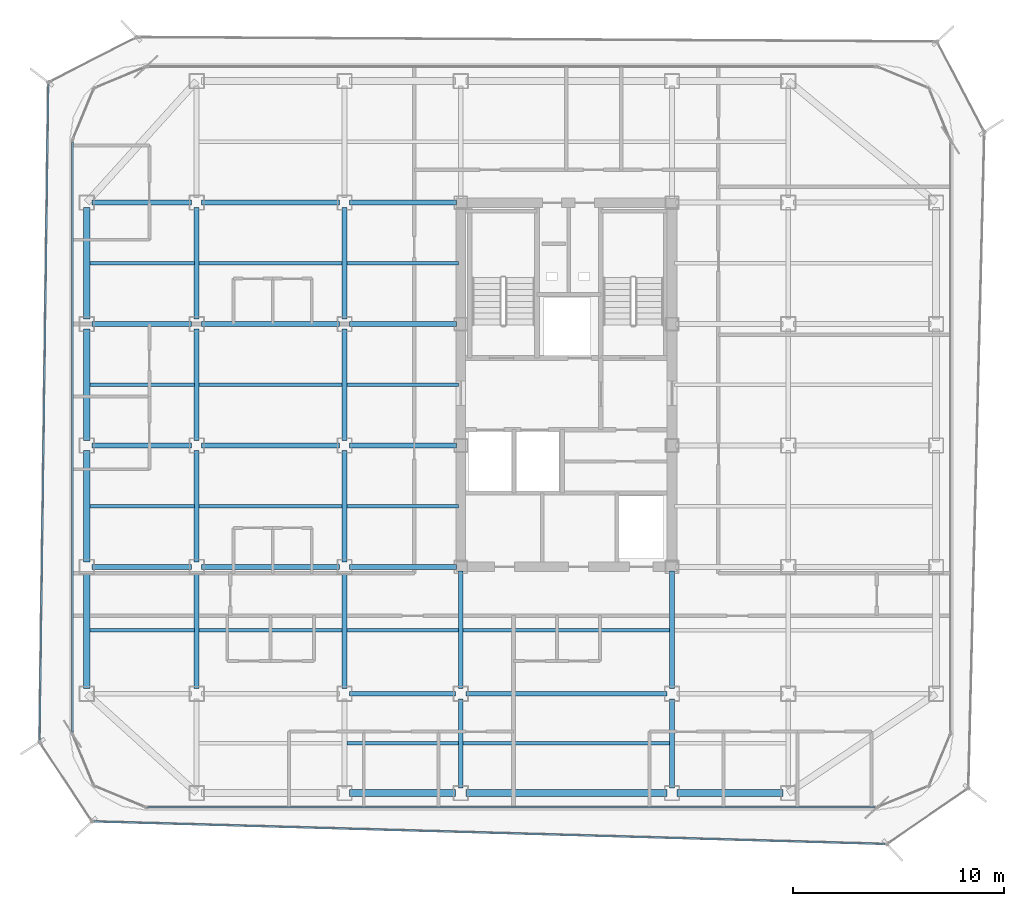
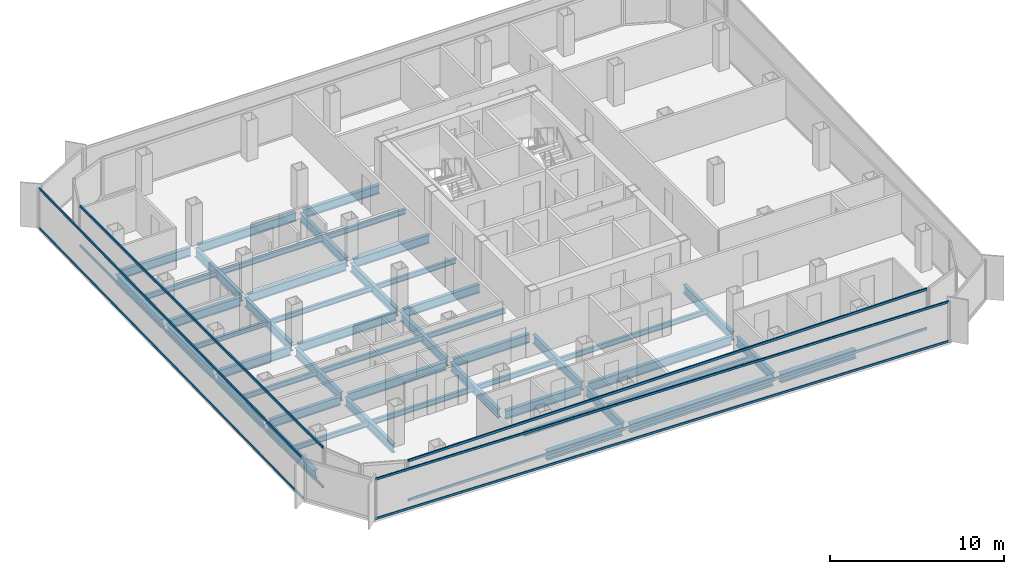
# One storey, part 3 of 15: 48 beams, 8 members, 4 elements without a shape of their own.
"""IFC4 building model written with IfcOpenShell, lengths in metres."""

from ifc_helpers import new_model, si_unit, direction, frame, origin, origin_2d, place, context, subcontext, project, spatial, hollow_rectangle, i_section, extrude, source, transform, mapped, material, layer, layer_set, material_profile, profile_set, type_object, element, aggregate, save


model = new_model("IFC4")

# Units and contexts
model_context = context("Model", 3, precision=1e-05, world=origin(), true_north=direction((0.0, 1.0)))
body_context = subcontext(model_context, "Body", "Model", "MODEL_VIEW")
ifc_project = project(units=[si_unit("LENGTHUNIT", "METRE"), si_unit("AREAUNIT", "SQUARE_METRE"), si_unit("VOLUMEUNIT", "CUBIC_METRE"), si_unit("PLANEANGLEUNIT", "RADIAN"), si_unit("MASSUNIT", "GRAM", prefix="KILO")], contexts=[model_context])

# Site, building, storey
site_placement = place(None, origin())
site = spatial("IfcSite", under=ifc_project, at=site_placement, CompositionType="ELEMENT")
building_placement = place(site_placement, origin())
building = spatial("IfcBuilding", under=site, at=building_placement, Name="Kolveth Station Tower", CompositionType="ELEMENT")
storey_placement = place(building_placement, frame((0.0, 0.0, 184.89990234375)))
storey = spatial("IfcBuildingStorey", under=building, at=storey_placement, Name="L52", CompositionType="ELEMENT", Elevation=184.89990234375)

# Beams
ifc_material_1 = material(Name="Steel S355", Category="steel")
ifc_material_profile_1 = material_profile(ifc_material_1, i_section(OverallWidth=0.323974609375, OverallDepth=0.611083984375, WebThickness=0.0126953125, FlangeThickness=0.01904296875, at=origin_2d()), Name="W610x155")
ifc_profile_set_1 = profile_set([ifc_material_profile_1], Name="Steel S355")
beam_type_1 = type_object("IfcBeamType", Name="Beam_SP2", PredefinedType="SPANDREL", material=ifc_profile_set_1)
shared_shape_1 = source(origin(), body_context, "Body", "SweptSolid", [
    extrude(i_section(OverallWidth=0.323974609375, OverallDepth=0.611083984375, WebThickness=0.0126953125, FlangeThickness=0.01904296875, at=origin_2d()), origin(), (0.0, 0.0, 1.0), 5.02001953125),
])
for number, where, z_axis, x_axis, name in (
    (1, (13.239990234375, 0.800048828125, -0.555419921875), (1.0, 0.0, 0.0), (0.0, 1.0, 0.0), "L52 Perimeter Spandrel BM-L52-PS-2"),
    (2, (28.739990234375, 0.800048828125, -0.555419921875), (1.0, 0.0, 0.0), (0.0, 1.0, 0.0), "L52 Perimeter Spandrel BM-L52-PS-4"),
):
    element("IfcBeam", number, at=place(storey_placement, frame(where, z_axis=z_axis, x_axis=x_axis)), inside=storey, type_object=beam_type_1, Name=name, PredefinedType="SPANDREL", context=body_context, shape_type="MappedRepresentation", body=[
        mapped(shared_shape_1, transform((0.0, 0.0, 0.0), x_axis=(1.0, 0.0, 0.0), y_axis=(0.0, 1.0, 0.0), z_axis=(0.0, 0.0, 1.0), scale=1.0)),
    ])
shared_shape_2 = source(origin(), body_context, "Body", "SweptSolid", [
    extrude(i_section(OverallWidth=0.323974609375, OverallDepth=0.611083984375, WebThickness=0.0126953125, FlangeThickness=0.01904296875, at=origin_2d()), origin(), (0.0, 0.0, 1.0), 9.52001953125),
])
beam_1_placement = place(storey_placement, frame((18.739990234375, 0.800048828125, -0.555419921875), z_axis=(1.0, 0.0, 0.0), x_axis=(0.0, 1.0, 0.0)))
element("IfcBeam", 3, at=beam_1_placement, inside=storey, type_object=beam_type_1, Name="L52 Perimeter Spandrel BM-L52-PS-3", PredefinedType="SPANDREL", context=body_context, shape_type="MappedRepresentation", body=[
    mapped(shared_shape_2, transform((0.0, 0.0, 0.0), x_axis=(1.0, 0.0, 0.0), y_axis=(0.0, 1.0, 0.0), z_axis=(0.0, 0.0, 1.0), scale=1.0)),
])
shared_shape_3 = source(origin(), body_context, "Body", "SweptSolid", [
    extrude(i_section(OverallWidth=0.323974609375, OverallDepth=0.611083984375, WebThickness=0.0126953125, FlangeThickness=0.01904296875, at=origin_2d()), origin(), (0.0, 0.0, 1.0), 5.52001953125),
])
beam_2_placement = place(storey_placement, frame((0.800048828125, 5.739990234375, -0.555419921875), z_axis=(0.0, 1.0, 0.0), x_axis=(-1.0, 0.0, 0.0)))
element("IfcBeam", 4, at=beam_2_placement, inside=storey, type_object=beam_type_1, Name="L52 Perimeter Spandrel BM-L52-PW-1", PredefinedType="SPANDREL", context=body_context, shape_type="MappedRepresentation", body=[
    mapped(shared_shape_3, transform((0.0, 0.0, 0.0), x_axis=(1.0, 0.0, 0.0), y_axis=(0.0, 1.0, 0.0), z_axis=(0.0, 0.0, 1.0), scale=1.0)),
])
shared_shape_4 = source(origin(), body_context, "Body", "SweptSolid", [
    extrude(i_section(OverallWidth=0.323974609375, OverallDepth=0.611083984375, WebThickness=0.0126953125, FlangeThickness=0.01904296875, at=origin_2d()), origin(), (0.0, 0.0, 1.0), 5.27001953125),
])
for number, where, z_axis, x_axis, name in (
    (5, (0.800048828125, 11.739990234375, -0.555419921875), (0.0, 1.0, 0.0), (-1.0, 0.0, 0.0), "L52 Perimeter Spandrel BM-L52-PW-2"),
    (6, (0.800048828125, 17.489990234375, -0.555419921875), (0.0, 1.0, 0.0), (-1.0, 0.0, 0.0), "L52 Perimeter Spandrel BM-L52-PW-3"),
    (7, (0.800048828125, 23.239990234375, -0.555419921875), (0.0, 1.0, 0.0), (-1.0, 0.0, 0.0), "L52 Perimeter Spandrel BM-L52-PW-4"),
):
    element("IfcBeam", number, at=place(storey_placement, frame(where, z_axis=z_axis, x_axis=x_axis)), inside=storey, type_object=beam_type_1, Name=name, PredefinedType="SPANDREL", context=body_context, shape_type="MappedRepresentation", body=[
        mapped(shared_shape_4, transform((0.0, 0.0, 0.0), x_axis=(1.0, 0.0, 0.0), y_axis=(0.0, 1.0, 0.0), z_axis=(0.0, 0.0, 1.0), scale=1.0)),
    ])
ifc_material_profile_2 = material_profile(ifc_material_1, i_section(OverallWidth=0.22900390625, OverallDepth=0.612060546875, WebThickness=0.011962890625, FlangeThickness=0.01953125, at=origin_2d()), Name="W610x125")
ifc_profile_set_2 = profile_set([ifc_material_profile_2], Name="Steel S355")
beam_type_2 = type_object("IfcBeamType", Name="Beam_B5", PredefinedType="BEAM", material=ifc_profile_set_2)
shared_shape_5 = source(origin(), body_context, "Body", "SweptSolid", [
    extrude(i_section(OverallWidth=0.22900390625, OverallDepth=0.612060546875, WebThickness=0.011962890625, FlangeThickness=0.01953125, at=origin_2d()), origin(), (0.0, 0.0, 1.0), 4.719970703125),
])
for number, where, z_axis, x_axis, name in (
    (8, (1.0400390625, 11.5, -0.555908203125), (1.0, 0.0, 0.0), (0.0, 1.0, 0.0), "L52 Primary Girder BM-L52-GY115-1"),
    (9, (1.0400390625, 17.25, -0.555908203125), (1.0, 0.0, 0.0), (0.0, 1.0, 0.0), "L52 Primary Girder BM-L52-GY172-1"),
    (10, (1.0400390625, 23.0, -0.555908203125), (1.0, 0.0, 0.0), (0.0, 1.0, 0.0), "L52 Primary Girder BM-L52-GY230-1"),
    (11, (1.0400390625, 28.75, -0.555908203125), (1.0, 0.0, 0.0), (0.0, 1.0, 0.0), "L52 Primary Girder BM-L52-GY287-1"),
):
    element("IfcBeam", number, at=place(storey_placement, frame(where, z_axis=z_axis, x_axis=x_axis)), inside=storey, type_object=beam_type_2, Name=name, PredefinedType="BEAM", context=body_context, shape_type="MappedRepresentation", body=[
        mapped(shared_shape_5, transform((0.0, 0.0, 0.0), x_axis=(1.0, 0.0, 0.0), y_axis=(0.0, 1.0, 0.0), z_axis=(0.0, 0.0, 1.0), scale=1.0)),
    ])
shared_shape_6 = source(origin(), body_context, "Body", "SweptSolid", [
    extrude(i_section(OverallWidth=0.22900390625, OverallDepth=0.612060546875, WebThickness=0.011962890625, FlangeThickness=0.01953125, at=origin_2d()), origin(), (0.0, 0.0, 1.0), 6.52001953125),
])
for number, where, z_axis, x_axis, name in (
    (12, (6.239990234375, 11.5, -0.555908203125), (1.0, 0.0, 0.0), (0.0, 1.0, 0.0), "L52 Primary Girder BM-L52-GY115-2"),
    (13, (6.239990234375, 17.25, -0.555908203125), (1.0, 0.0, 0.0), (0.0, 1.0, 0.0), "L52 Primary Girder BM-L52-GY172-2"),
    (14, (6.239990234375, 23.0, -0.555908203125), (1.0, 0.0, 0.0), (0.0, 1.0, 0.0), "L52 Primary Girder BM-L52-GY230-2"),
    (15, (6.239990234375, 28.75, -0.555908203125), (1.0, 0.0, 0.0), (0.0, 1.0, 0.0), "L52 Primary Girder BM-L52-GY287-2"),
):
    element("IfcBeam", number, at=place(storey_placement, frame(where, z_axis=z_axis, x_axis=x_axis)), inside=storey, type_object=beam_type_2, Name=name, PredefinedType="BEAM", context=body_context, shape_type="MappedRepresentation", body=[
        mapped(shared_shape_6, transform((0.0, 0.0, 0.0), x_axis=(1.0, 0.0, 0.0), y_axis=(0.0, 1.0, 0.0), z_axis=(0.0, 0.0, 1.0), scale=1.0)),
    ])
shared_shape_7 = source(origin(), body_context, "Body", "SweptSolid", [
    extrude(i_section(OverallWidth=0.22900390625, OverallDepth=0.612060546875, WebThickness=0.011962890625, FlangeThickness=0.01953125, at=origin_2d()), origin(), (0.0, 0.0, 1.0), 5.02001953125),
])
beam_3_placement = place(storey_placement, frame((13.239990234375, 5.5, -0.555908203125), z_axis=(1.0, 0.0, 0.0), x_axis=(0.0, 1.0, 0.0)))
element("IfcBeam", 16, at=beam_3_placement, inside=storey, type_object=beam_type_2, Name="L52 Primary Girder BM-L52-GY55-3", PredefinedType="BEAM", context=body_context, shape_type="MappedRepresentation", body=[
    mapped(shared_shape_7, transform((0.0, 0.0, 0.0), x_axis=(1.0, 0.0, 0.0), y_axis=(0.0, 1.0, 0.0), z_axis=(0.0, 0.0, 1.0), scale=1.0)),
])
shared_shape_8 = source(origin(), body_context, "Body", "SweptSolid", [
    extrude(i_section(OverallWidth=0.22900390625, OverallDepth=0.612060546875, WebThickness=0.011962890625, FlangeThickness=0.01953125, at=origin_2d()), origin(), (0.0, 0.0, 1.0), 9.52001953125),
])
beam_4_placement = place(storey_placement, frame((18.739990234375, 5.5, -0.555908203125), z_axis=(1.0, 0.0, 0.0), x_axis=(0.0, 1.0, 0.0)))
element("IfcBeam", 17, at=beam_4_placement, inside=storey, type_object=beam_type_2, Name="L52 Primary Girder BM-L52-GY55-4", PredefinedType="BEAM", context=body_context, shape_type="MappedRepresentation", body=[
    mapped(shared_shape_8, transform((0.0, 0.0, 0.0), x_axis=(1.0, 0.0, 0.0), y_axis=(0.0, 1.0, 0.0), z_axis=(0.0, 0.0, 1.0), scale=1.0)),
])
shared_shape_9 = source(origin(), body_context, "Body", "SweptSolid", [
    extrude(i_section(OverallWidth=0.22900390625, OverallDepth=0.612060546875, WebThickness=0.011962890625, FlangeThickness=0.01953125, at=origin_2d()), origin(), (0.0, 0.0, 1.0), 5.06005859375),
])
for number, where, z_axis, x_axis, name in (
    (18, (13.239990234375, 11.5, -0.555908203125), (1.0, 0.0, 0.0), (0.0, 1.0, 0.0), "L52 Primary Girder BM-L52-GY115-3"),
    (19, (13.239990234375, 17.25, -0.555908203125), (1.0, 0.0, 0.0), (0.0, 1.0, 0.0), "L52 Primary Girder BM-L52-GY172-3"),
    (20, (13.239990234375, 23.0, -0.555908203125), (1.0, 0.0, 0.0), (0.0, 1.0, 0.0), "L52 Primary Girder BM-L52-GY230-3"),
    (21, (13.239990234375, 28.75, -0.555908203125), (1.0, 0.0, 0.0), (0.0, 1.0, 0.0), "L52 Primary Girder BM-L52-GY287-3"),
):
    element("IfcBeam", number, at=place(storey_placement, frame(where, z_axis=z_axis, x_axis=x_axis)), inside=storey, type_object=beam_type_2, Name=name, PredefinedType="BEAM", context=body_context, shape_type="MappedRepresentation", body=[
        mapped(shared_shape_9, transform((0.0, 0.0, 0.0), x_axis=(1.0, 0.0, 0.0), y_axis=(0.0, 1.0, 0.0), z_axis=(0.0, 0.0, 1.0), scale=1.0)),
    ])
shared_shape_10 = source(origin(), body_context, "Body", "SweptSolid", [
    extrude(i_section(OverallWidth=0.22900390625, OverallDepth=0.612060546875, WebThickness=0.011962890625, FlangeThickness=0.01953125, at=origin_2d()), origin(), (0.0, 0.0, 1.0), 4.219970703125),
])
for number, where, z_axis, x_axis, name in (
    (22, (18.5, 1.0400390625, -0.555908203125), (0.0, 1.0, 0.0), (-1.0, 0.0, 0.0), "L52 Primary Girder BM-L52-GX185-1"),
    (23, (28.5, 1.0400390625, -0.555908203125), (0.0, 1.0, 0.0), (-1.0, 0.0, 0.0), "L52 Primary Girder BM-L52-GX285-1"),
):
    element("IfcBeam", number, at=place(storey_placement, frame(where, z_axis=z_axis, x_axis=x_axis)), inside=storey, type_object=beam_type_2, Name=name, PredefinedType="BEAM", context=body_context, shape_type="MappedRepresentation", body=[
        mapped(shared_shape_10, transform((0.0, 0.0, 0.0), x_axis=(1.0, 0.0, 0.0), y_axis=(0.0, 1.0, 0.0), z_axis=(0.0, 0.0, 1.0), scale=1.0)),
    ])
shared_shape_11 = source(origin(), body_context, "Body", "SweptSolid", [
    extrude(i_section(OverallWidth=0.22900390625, OverallDepth=0.612060546875, WebThickness=0.011962890625, FlangeThickness=0.01953125, at=origin_2d()), origin(), (0.0, 0.0, 1.0), 5.52001953125),
])
for number, where, z_axis, x_axis, name in (
    (24, (6.0, 5.739990234375, -0.555908203125), (0.0, 1.0, 0.0), (-1.0, 0.0, 0.0), "L52 Primary Girder BM-L52-GX60-2"),
    (25, (13.0, 5.739990234375, -0.555908203125), (0.0, 1.0, 0.0), (-1.0, 0.0, 0.0), "L52 Primary Girder BM-L52-GX130-2"),
):
    element("IfcBeam", number, at=place(storey_placement, frame(where, z_axis=z_axis, x_axis=x_axis)), inside=storey, type_object=beam_type_2, Name=name, PredefinedType="BEAM", context=body_context, shape_type="MappedRepresentation", body=[
        mapped(shared_shape_11, transform((0.0, 0.0, 0.0), x_axis=(1.0, 0.0, 0.0), y_axis=(0.0, 1.0, 0.0), z_axis=(0.0, 0.0, 1.0), scale=1.0)),
    ])
shared_shape_12 = source(origin(), body_context, "Body", "SweptSolid", [
    extrude(i_section(OverallWidth=0.22900390625, OverallDepth=0.612060546875, WebThickness=0.011962890625, FlangeThickness=0.01953125, at=origin_2d()), origin(), (0.0, 0.0, 1.0), 5.27001953125),
])
for number, where, z_axis, x_axis, name in (
    (26, (6.0, 11.739990234375, -0.555908203125), (0.0, 1.0, 0.0), (-1.0, 0.0, 0.0), "L52 Primary Girder BM-L52-GX60-3"),
    (27, (6.0, 17.489990234375, -0.555908203125), (0.0, 1.0, 0.0), (-1.0, 0.0, 0.0), "L52 Primary Girder BM-L52-GX60-4"),
    (28, (6.0, 23.239990234375, -0.555908203125), (0.0, 1.0, 0.0), (-1.0, 0.0, 0.0), "L52 Primary Girder BM-L52-GX60-5"),
    (29, (13.0, 11.739990234375, -0.555908203125), (0.0, 1.0, 0.0), (-1.0, 0.0, 0.0), "L52 Primary Girder BM-L52-GX130-3"),
    (30, (13.0, 17.489990234375, -0.555908203125), (0.0, 1.0, 0.0), (-1.0, 0.0, 0.0), "L52 Primary Girder BM-L52-GX130-4"),
    (31, (13.0, 23.239990234375, -0.555908203125), (0.0, 1.0, 0.0), (-1.0, 0.0, 0.0), "L52 Primary Girder BM-L52-GX130-5"),
):
    element("IfcBeam", number, at=place(storey_placement, frame(where, z_axis=z_axis, x_axis=x_axis)), inside=storey, type_object=beam_type_2, Name=name, PredefinedType="BEAM", context=body_context, shape_type="MappedRepresentation", body=[
        mapped(shared_shape_12, transform((0.0, 0.0, 0.0), x_axis=(1.0, 0.0, 0.0), y_axis=(0.0, 1.0, 0.0), z_axis=(0.0, 0.0, 1.0), scale=1.0)),
    ])
shared_shape_13 = source(origin(), body_context, "Body", "SweptSolid", [
    extrude(i_section(OverallWidth=0.22900390625, OverallDepth=0.612060546875, WebThickness=0.011962890625, FlangeThickness=0.01953125, at=origin_2d()), origin(), (0.0, 0.0, 1.0), 5.56005859375),
])
for number, where, z_axis, x_axis, name in (
    (32, (18.5, 5.739990234375, -0.555908203125), (0.0, 1.0, 0.0), (-1.0, 0.0, 0.0), "L52 Primary Girder BM-L52-GX185-2"),
    (33, (28.5, 5.739990234375, -0.555908203125), (0.0, 1.0, 0.0), (-1.0, 0.0, 0.0), "L52 Primary Girder BM-L52-GX285-2"),
):
    element("IfcBeam", number, at=place(storey_placement, frame(where, z_axis=z_axis, x_axis=x_axis)), inside=storey, type_object=beam_type_2, Name=name, PredefinedType="BEAM", context=body_context, shape_type="MappedRepresentation", body=[
        mapped(shared_shape_13, transform((0.0, 0.0, 0.0), x_axis=(1.0, 0.0, 0.0), y_axis=(0.0, 1.0, 0.0), z_axis=(0.0, 0.0, 1.0), scale=1.0)),
    ])
ifc_material_profile_3 = material_profile(ifc_material_1, i_section(OverallWidth=0.1708984375, OverallDepth=0.35205078125, WebThickness=0.0068359375, FlangeThickness=0.009765625, at=origin_2d()), Name="W360x44")
ifc_profile_set_3 = profile_set([ifc_material_profile_3], Name="Steel S355")
beam_type_3 = type_object("IfcBeamType", Name="Beam_J2", PredefinedType="JOIST", material=ifc_profile_set_3)
shared_shape_14 = source(origin(), body_context, "Body", "SweptSolid", [
    extrude(i_section(OverallWidth=0.1708984375, OverallDepth=0.35205078125, WebThickness=0.0068359375, FlangeThickness=0.009765625, at=origin_2d()), origin(), (0.0, 0.0, 1.0), 4.927490234375),
])
for number, where, z_axis, x_axis, name in (
    (34, (0.9599609375, 8.5, -0.42578125), (1.0, 0.0, 0.0), (0.0, 1.0, 0.0), "L52 Secondary Joist JST-L52-1-2"),
    (35, (0.9599609375, 14.375, -0.42578125), (1.0, 0.0, 0.0), (0.0, 1.0, 0.0), "L52 Secondary Joist JST-L52-1-3"),
    (36, (0.9599609375, 20.125, -0.42578125), (1.0, 0.0, 0.0), (0.0, 1.0, 0.0), "L52 Secondary Joist JST-L52-1-4"),
    (37, (0.9599609375, 25.875, -0.42578125), (1.0, 0.0, 0.0), (0.0, 1.0, 0.0), "L52 Secondary Joist JST-L52-1-5"),
):
    element("IfcBeam", number, at=place(storey_placement, frame(where, z_axis=z_axis, x_axis=x_axis)), inside=storey, type_object=beam_type_3, Name=name, PredefinedType="JOIST", context=body_context, shape_type="MappedRepresentation", body=[
        mapped(shared_shape_14, transform((0.0, 0.0, 0.0), x_axis=(1.0, 0.0, 0.0), y_axis=(0.0, 1.0, 0.0), z_axis=(0.0, 0.0, 1.0), scale=1.0)),
    ])
shared_shape_15 = source(origin(), body_context, "Body", "SweptSolid", [
    extrude(i_section(OverallWidth=0.1708984375, OverallDepth=0.35205078125, WebThickness=0.0068359375, FlangeThickness=0.009765625, at=origin_2d()), origin(), (0.0, 0.0, 1.0), 6.77490234375),
])
for number, where, z_axis, x_axis, name in (
    (38, (6.112548828125, 8.5, -0.42578125), (1.0, 0.0, 0.0), (0.0, 1.0, 0.0), "L52 Secondary Joist JST-L52-2-2"),
    (39, (6.112548828125, 14.375, -0.42578125), (1.0, 0.0, 0.0), (0.0, 1.0, 0.0), "L52 Secondary Joist JST-L52-2-3"),
    (40, (6.112548828125, 20.125, -0.42578125), (1.0, 0.0, 0.0), (0.0, 1.0, 0.0), "L52 Secondary Joist JST-L52-2-4"),
    (41, (6.112548828125, 25.875, -0.42578125), (1.0, 0.0, 0.0), (0.0, 1.0, 0.0), "L52 Secondary Joist JST-L52-2-5"),
):
    element("IfcBeam", number, at=place(storey_placement, frame(where, z_axis=z_axis, x_axis=x_axis)), inside=storey, type_object=beam_type_3, Name=name, PredefinedType="JOIST", context=body_context, shape_type="MappedRepresentation", body=[
        mapped(shared_shape_15, transform((0.0, 0.0, 0.0), x_axis=(1.0, 0.0, 0.0), y_axis=(0.0, 1.0, 0.0), z_axis=(0.0, 0.0, 1.0), scale=1.0)),
    ])
shared_shape_16 = source(origin(), body_context, "Body", "SweptSolid", [
    extrude(i_section(OverallWidth=0.1708984375, OverallDepth=0.35205078125, WebThickness=0.0068359375, FlangeThickness=0.009765625, at=origin_2d()), origin(), (0.0, 0.0, 1.0), 5.27490234375),
])
for number, where, z_axis, x_axis, name in (
    (42, (13.112548828125, 3.14990234375, -0.42578125), (1.0, 0.0, 0.0), (0.0, 1.0, 0.0), "L52 Secondary Joist JST-L52-3-1"),
    (43, (13.112548828125, 8.5, -0.42578125), (1.0, 0.0, 0.0), (0.0, 1.0, 0.0), "L52 Secondary Joist JST-L52-3-2"),
    (44, (13.112548828125, 14.375, -0.42578125), (1.0, 0.0, 0.0), (0.0, 1.0, 0.0), "L52 Secondary Joist JST-L52-3-3"),
    (45, (13.112548828125, 20.125, -0.42578125), (1.0, 0.0, 0.0), (0.0, 1.0, 0.0), "L52 Secondary Joist JST-L52-3-4"),
    (46, (13.112548828125, 25.875, -0.42578125), (1.0, 0.0, 0.0), (0.0, 1.0, 0.0), "L52 Secondary Joist JST-L52-3-5"),
):
    element("IfcBeam", number, at=place(storey_placement, frame(where, z_axis=z_axis, x_axis=x_axis)), inside=storey, type_object=beam_type_3, Name=name, PredefinedType="JOIST", context=body_context, shape_type="MappedRepresentation", body=[
        mapped(shared_shape_16, transform((0.0, 0.0, 0.0), x_axis=(1.0, 0.0, 0.0), y_axis=(0.0, 1.0, 0.0), z_axis=(0.0, 0.0, 1.0), scale=1.0)),
    ])
shared_shape_17 = source(origin(), body_context, "Body", "SweptSolid", [
    extrude(i_section(OverallWidth=0.1708984375, OverallDepth=0.35205078125, WebThickness=0.0068359375, FlangeThickness=0.009765625, at=origin_2d()), origin(), (0.0, 0.0, 1.0), 9.77490234375),
])
for number, where, z_axis, x_axis, name in (
    (47, (18.612548828125, 3.14990234375, -0.42578125), (1.0, 0.0, 0.0), (0.0, 1.0, 0.0), "L52 Secondary Joist JST-L52-4-1"),
    (48, (18.612548828125, 8.5, -0.42578125), (1.0, 0.0, 0.0), (0.0, 1.0, 0.0), "L52 Secondary Joist JST-L52-4-2"),
):
    element("IfcBeam", number, at=place(storey_placement, frame(where, z_axis=z_axis, x_axis=x_axis)), inside=storey, type_object=beam_type_3, Name=name, PredefinedType="JOIST", context=body_context, shape_type="MappedRepresentation", body=[
        mapped(shared_shape_17, transform((0.0, 0.0, 0.0), x_axis=(1.0, 0.0, 0.0), y_axis=(0.0, 1.0, 0.0), z_axis=(0.0, 0.0, 1.0), scale=1.0)),
    ])

# Curtain wall, members
ifc_material_2 = material(Name="Aluminium 6063-T6 and low-E dark glass", Category="aluminium")
ifc_layer_1 = layer(ifc_material_2, 0.18994140625)
ifc_layer_set_1 = layer_set([ifc_layer_1], Name="Aluminium 6063-T6 and low-E dark glass")
curtain_wall_type_1 = type_object("IfcCurtainWallType", Name="CurtainWall_CW-Z2", PredefinedType="NOTDEFINED", material=ifc_layer_set_1)
curtain_wall_1_placement = place(storey_placement, origin())
curtain_wall_1 = element("IfcCurtainWall", 49, at=curtain_wall_1_placement, inside=storey, type_object=curtain_wall_type_1, Name="L52 Inner Thermal Curtain Wall 9", PredefinedType="NOTDEFINED")
ifc_material_3 = material(Name="Black anodized aluminium 6063-T6", Category="aluminium")
ifc_material_profile_4 = material_profile(ifc_material_3, hollow_rectangle(XDim=0.080078125, YDim=0.169921875, WallThickness=0.0048828125, at=origin_2d()), Name="ALU-80x170x5")
ifc_profile_set_4 = profile_set([ifc_material_profile_4], Name="Black anodized aluminium 6063-T6")
member_type_1 = type_object("IfcMemberType", Name="Transom_TR2", PredefinedType="USERDEFINED", material=ifc_profile_set_4)
shared_shape_18 = source(origin(), body_context, "Body", "SweptSolid", [
    extrude(hollow_rectangle(XDim=0.080078125, YDim=0.169921875, WallThickness=0.0048828125, at=origin_2d()), origin(), (0.0, 0.0, 1.0), 27.940185546875),
])
member_1_placement = place(storey_placement, frame((0.1201171875, 31.6201171875, 0.0400390625), z_axis=(0.0, -1.0, 0.0), x_axis=(1.0, 0.0, 0.0)))
member_1 = element("IfcMember", 50, at=member_1_placement, type_object=member_type_1, Name="CW-Z2 transom 1.1", ObjectType="TRANSOM", PredefinedType="USERDEFINED", context=body_context, shape_type="MappedRepresentation", body=[
    mapped(shared_shape_18, transform((0.0, 0.0, 0.0), x_axis=(1.0, 0.0, 0.0), y_axis=(0.0, 1.0, 0.0), z_axis=(0.0, 0.0, 1.0), scale=1.0)),
])
member_2_placement = place(storey_placement, frame((0.1201171875, 31.6201171875, 2.800048828125), z_axis=(0.0, -1.0, 0.0), x_axis=(1.0, 0.0, 0.0)))
member_2 = element("IfcMember", 51, at=member_2_placement, type_object=member_type_1, Name="CW-Z2 transom 1.2", ObjectType="TRANSOM", PredefinedType="USERDEFINED", context=body_context, shape_type="MappedRepresentation", body=[
    mapped(shared_shape_18, transform((0.0, 0.0, 0.0), x_axis=(1.0, 0.0, 0.0), y_axis=(0.0, 1.0, 0.0), z_axis=(0.0, 0.0, 1.0), scale=1.0)),
])
aggregate(curtain_wall_1, [member_1, member_2])

curtain_wall_2_placement = place(storey_placement, origin())
curtain_wall_2 = element("IfcCurtainWall", 52, at=curtain_wall_2_placement, inside=storey, type_object=curtain_wall_type_1, Name="L52 Inner Thermal Curtain Wall 12", PredefinedType="NOTDEFINED")
shared_shape_19 = source(origin(), body_context, "Body", "SweptSolid", [
    extrude(hollow_rectangle(XDim=0.080078125, YDim=0.169921875, WallThickness=0.0048828125, at=origin_2d()), origin(), (0.0, 0.0, 1.0), 34.440185546875),
])
member_3_placement = place(storey_placement, frame((3.679931640625, 0.1201171875, 0.0400390625), z_axis=(1.0, 0.0, 0.0), x_axis=(0.0, 1.0, 0.0)))
member_3 = element("IfcMember", 53, at=member_3_placement, type_object=member_type_1, Name="CW-Z2 transom 1.1", ObjectType="TRANSOM", PredefinedType="USERDEFINED", context=body_context, shape_type="MappedRepresentation", body=[
    mapped(shared_shape_19, transform((0.0, 0.0, 0.0), x_axis=(1.0, 0.0, 0.0), y_axis=(0.0, 1.0, 0.0), z_axis=(0.0, 0.0, 1.0), scale=1.0)),
])
member_4_placement = place(storey_placement, frame((3.679931640625, 0.1201171875, 2.800048828125), z_axis=(1.0, 0.0, 0.0), x_axis=(0.0, 1.0, 0.0)))
member_4 = element("IfcMember", 54, at=member_4_placement, type_object=member_type_1, Name="CW-Z2 transom 1.2", ObjectType="TRANSOM", PredefinedType="USERDEFINED", context=body_context, shape_type="MappedRepresentation", body=[
    mapped(shared_shape_19, transform((0.0, 0.0, 0.0), x_axis=(1.0, 0.0, 0.0), y_axis=(0.0, 1.0, 0.0), z_axis=(0.0, 0.0, 1.0), scale=1.0)),
])
aggregate(curtain_wall_2, [member_3, member_4])

ifc_material_4 = material(Name="Black anodized aluminium 6063-T6 and dark solar glass", Category="aluminium")
ifc_layer_2 = layer(ifc_material_4, 0.159912109375)
ifc_layer_set_2 = layer_set([ifc_layer_2], Name="Black anodized aluminium 6063-T6 and dark solar glass")
curtain_wall_type_2 = type_object("IfcCurtainWallType", Name="OUTER SKIN CW-OS", PredefinedType="NOTDEFINED", material=ifc_layer_set_2)
curtain_wall_3_placement = place(storey_placement, origin())
curtain_wall_3 = element("IfcCurtainWall", 55, at=curtain_wall_3_placement, inside=storey, type_object=curtain_wall_type_2, Name="L52 Outer Ventilated Skin Curtain Wall 6", PredefinedType="NOTDEFINED")
ifc_material_profile_5 = material_profile(ifc_material_3, hollow_rectangle(XDim=0.080078125, YDim=0.14990234375, WallThickness=0.0048828125, at=origin_2d()), Name="ALU-80x150x5")
ifc_profile_set_5 = profile_set([ifc_material_profile_5], Name="Black anodized aluminium 6063-T6")
member_type_2 = type_object("IfcMemberType", Name="Transom_TR-OS", PredefinedType="USERDEFINED", material=ifc_profile_set_5)
shared_shape_20 = source(origin(), body_context, "Body", "SweptSolid", [
    extrude(hollow_rectangle(XDim=0.080078125, YDim=0.14990234375, WallThickness=0.0048828125, at=origin_2d()), origin(), (0.0, 0.0, 1.0), 31.040283203125),
])
member_5_placement = place(storey_placement, frame((-1.020751953125, 34.344482421875, 0.0400390625), z_axis=(-0.013276576919, -0.999911862369, 0.0), x_axis=(0.999911862369, -0.013276576919, 0.0)))
member_5 = element("IfcMember", 56, at=member_5_placement, type_object=member_type_2, Name="CW-OS transom 1.1", ObjectType="TRANSOM", PredefinedType="USERDEFINED", context=body_context, shape_type="MappedRepresentation", body=[
    mapped(shared_shape_20, transform((0.0, 0.0, 0.0), x_axis=(1.0, 0.0, 0.0), y_axis=(0.0, 1.0, 0.0), z_axis=(0.0, 0.0, 1.0), scale=1.0)),
])
member_6_placement = place(storey_placement, frame((-1.020751953125, 34.344482421875, 2.800048828125), z_axis=(-0.013276576919, -0.999911862369, 0.0), x_axis=(0.999911862369, -0.013276576919, 0.0)))
member_6 = element("IfcMember", 57, at=member_6_placement, type_object=member_type_2, Name="CW-OS transom 1.2", ObjectType="TRANSOM", PredefinedType="USERDEFINED", context=body_context, shape_type="MappedRepresentation", body=[
    mapped(shared_shape_20, transform((0.0, 0.0, 0.0), x_axis=(1.0, 0.0, 0.0), y_axis=(0.0, 1.0, 0.0), z_axis=(0.0, 0.0, 1.0), scale=1.0)),
])
aggregate(curtain_wall_3, [member_5, member_6])

curtain_wall_4_placement = place(storey_placement, origin())
curtain_wall_4 = element("IfcCurtainWall", 58, at=curtain_wall_4_placement, inside=storey, type_object=curtain_wall_type_2, Name="L52 Outer Ventilated Skin Curtain Wall 8", PredefinedType="NOTDEFINED")
shared_shape_21 = source(origin(), body_context, "Body", "SweptSolid", [
    extrude(hollow_rectangle(XDim=0.080078125, YDim=0.14990234375, WallThickness=0.0048828125, at=origin_2d()), origin(), (0.0, 0.0, 1.0), 37.45703125),
])
member_7_placement = place(storey_placement, frame((1.142333984375, -0.544677734375, 0.0400390625), z_axis=(0.999594273867, -0.028483111702, 0.0), x_axis=(0.028483111702, 0.999594273867, 0.0)))
member_7 = element("IfcMember", 59, at=member_7_placement, type_object=member_type_2, Name="CW-OS transom 1.1", ObjectType="TRANSOM", PredefinedType="USERDEFINED", context=body_context, shape_type="MappedRepresentation", body=[
    mapped(shared_shape_21, transform((0.0, 0.0, 0.0), x_axis=(1.0, 0.0, 0.0), y_axis=(0.0, 1.0, 0.0), z_axis=(0.0, 0.0, 1.0), scale=1.0)),
])
member_8_placement = place(storey_placement, frame((1.142333984375, -0.544677734375, 2.800048828125), z_axis=(0.999594273867, -0.028483111702, 0.0), x_axis=(0.028483111702, 0.999594273867, 0.0)))
member_8 = element("IfcMember", 60, at=member_8_placement, type_object=member_type_2, Name="CW-OS transom 1.2", ObjectType="TRANSOM", PredefinedType="USERDEFINED", context=body_context, shape_type="MappedRepresentation", body=[
    mapped(shared_shape_21, transform((0.0, 0.0, 0.0), x_axis=(1.0, 0.0, 0.0), y_axis=(0.0, 1.0, 0.0), z_axis=(0.0, 0.0, 1.0), scale=1.0)),
])
aggregate(curtain_wall_4, [member_7, member_8])

save(model, "model.ifc")
